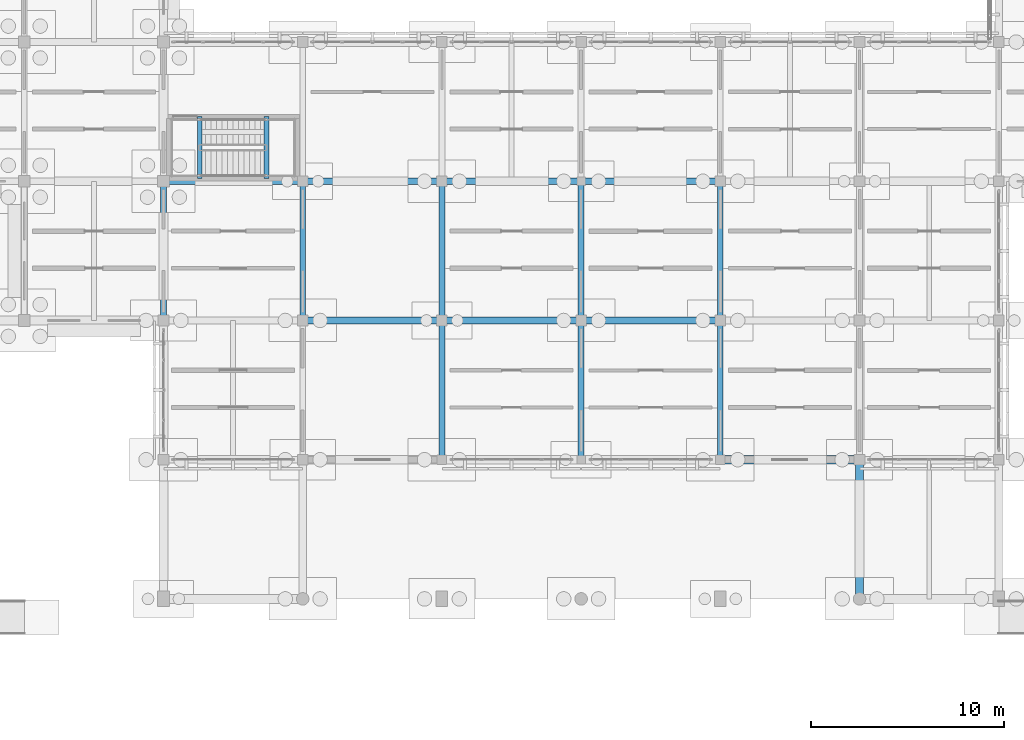
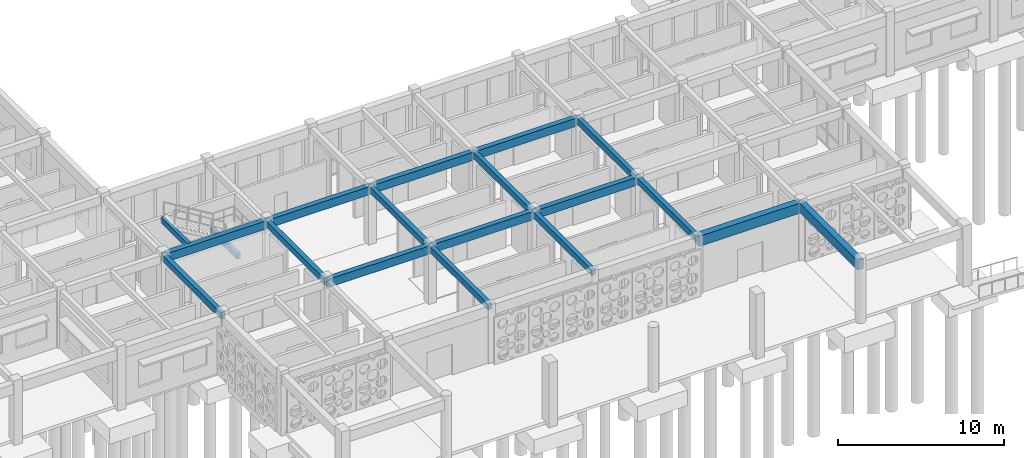
# One storey, part 21 of 111: 19 beams.
"""IFC4 building model written with IfcOpenShell, lengths in metres."""

import ifcopenshell
import ifcopenshell.guid

model = None  # the IFC model being written
_history = None  # IfcOwnerHistory: only IFC2X3 demands one
_inside = {}  # id of a spatial element -> (the spatial element, [elements in it])
_under = {}  # id of a project, library or spatial element -> (it, [spatial elements below it])
_declared = {}  # id of a project -> (the project, [libraries it declares])
_typed = {}  # id of a type object -> (the type object, [elements of that type])
_made_of = {}  # id of a material, layer set ... -> (it, [elements and type objects made of it])


def new_model(schema):
    """Start an empty IFC model of exactly this schema.

    Asked for "IFC4X3", IfcOpenShell would pick the latest addendum, in which some entities
    have other attributes; the version numbers below select the first issue.
    IFC2X3 requires an IfcOwnerHistory on every rooted entity: one is made here for all.
    """
    global model, _history
    if schema == "IFC4X3":
        model = ifcopenshell.file(schema_version=(4, 3, 0, 0))
    else:
        model = ifcopenshell.file(schema=schema)
    _inside.clear()
    _under.clear()
    _declared.clear()
    _typed.clear()
    _made_of.clear()
    _history = None
    if model.schema == "IFC2X3":
        org = make("IfcOrganization", Name="unknown")
        user = make(
            "IfcPersonAndOrganization",
            ThePerson=make("IfcPerson", FamilyName="unknown"),
            TheOrganization=org,
        )
        app = make(
            "IfcApplication",
            ApplicationDeveloper=org,
            Version="unknown",
            ApplicationFullName="unknown",
            ApplicationIdentifier="unknown",
        )
        _history = make(
            "IfcOwnerHistory",
            OwningUser=user,
            OwningApplication=app,
            ChangeAction="ADDED",
            CreationDate=0,
        )
    return model


def make(cls, **values):
    """One entity of the class cls with the attributes given. An attribute that is None is left unset."""
    return model.create_entity(
        cls, **{name: value for name, value in values.items() if value is not None}
    )


def rooted(cls, **values):
    """An entity with a GlobalId (a new one), such as an element, a storey or a relation."""
    return make(cls, GlobalId=ifcopenshell.guid.new(), OwnerHistory=_history, **values)


def si_unit(unit_type, name, prefix=None):
    """IfcSIUnit, for example si_unit("LENGTHUNIT", "METRE", prefix="MILLI")."""
    return make("IfcSIUnit", UnitType=unit_type, Prefix=prefix, Name=name)


def assignment(units):
    """IfcUnitAssignment: the units of a project."""
    return None if units is None else make("IfcUnitAssignment", Units=units)


def point(xyz):
    """IfcCartesianPoint."""
    return None if xyz is None else make("IfcCartesianPoint", Coordinates=xyz)


def direction(xyz):
    """IfcDirection."""
    return None if xyz is None else make("IfcDirection", DirectionRatios=xyz)


def frame(location, z_axis=None, x_axis=None):
    """IfcAxis2Placement3D, a coordinate frame: its origin and axes. An axis left out is left unset."""
    return make(
        "IfcAxis2Placement3D",
        Location=point(location),
        Axis=direction(z_axis),
        RefDirection=direction(x_axis),
    )


def frame_2d(location, x_axis=None):
    """IfcAxis2Placement2D, a coordinate frame in the plane: its origin and x axis."""
    return make(
        "IfcAxis2Placement2D", Location=point(location), RefDirection=direction(x_axis)
    )


def origin():
    """The frame at (0, 0, 0) with its axes left unset."""
    return frame((0.0, 0.0, 0.0))


def origin_2d():
    """The frame at (0, 0) in the plane with its x axis left unset."""
    return frame_2d((0.0, 0.0))


def place(relative_to, where):
    """IfcLocalPlacement: puts the frame where relative to a parent placement (None: the world)."""
    return make(
        "IfcLocalPlacement", PlacementRelTo=relative_to, RelativePlacement=where
    )


def context(
    kind, dimensions, precision=None, world=None, true_north=None, identifier=None
):
    """IfcGeometricRepresentationContext, for example the 3D "Model" context."""
    return make(
        "IfcGeometricRepresentationContext",
        ContextIdentifier=identifier,
        ContextType=kind,
        CoordinateSpaceDimension=dimensions,
        Precision=precision,
        WorldCoordinateSystem=world,
        TrueNorth=true_north,
    )


def subcontext(parent, identifier, kind, view, scale=None):
    """IfcGeometricRepresentationSubContext, for example "Body" below "Model"."""
    return make(
        "IfcGeometricRepresentationSubContext",
        ContextIdentifier=identifier,
        ContextType=kind,
        ParentContext=parent,
        TargetScale=scale,
        TargetView=view,
    )


def project(units=None, contexts=None):
    """IfcProject with its units and contexts."""
    return rooted(
        "IfcProject",
        Name="project",
        RepresentationContexts=contexts,
        UnitsInContext=assignment(units),
    )


def spatial(cls, under=None, at=None, **own):
    """A site, building, storey or space (cls), placed at a placement, below another one or the project."""
    s = rooted(cls, ObjectPlacement=at, **own)
    if under is not None:
        _under.setdefault(under.id(), (under, []))[1].append(s)
    return s


def profile(cls, at=None, kind="AREA", **sizes):
    """A parametric profile (cls). Its sizes go by their IFC names, for example OverallWidth=200.0."""
    return make(cls, ProfileType=kind, Position=at, **sizes)


def rectangle(**sizes):
    """IfcRectangleProfileDef."""
    return profile("IfcRectangleProfileDef", **sizes)


def extrude(swept, where, along, depth):
    """IfcExtrudedAreaSolid: the profile swept, set in the frame where, extruded along a direction by depth."""
    return make(
        "IfcExtrudedAreaSolid",
        SweptArea=swept,
        Position=where,
        ExtrudedDirection=direction(along),
        Depth=depth,
    )


def shape(context_of_items, identifier, shape_type, items):
    """IfcShapeRepresentation: the items that make up one representation, for example the "Body"."""
    return make(
        "IfcShapeRepresentation",
        ContextOfItems=context_of_items,
        RepresentationIdentifier=identifier,
        RepresentationType=shape_type,
        Items=items,
    )


def material(Name=None, Category=None):
    """IfcMaterial."""
    return make("IfcMaterial", Name=Name, Category=Category)


def material_profile(
    of_material, cross_section, Name=None, Category=None, Priority=None
):
    """IfcMaterialProfile: a cross section and its material."""
    return make(
        "IfcMaterialProfile",
        Name=Name,
        Material=of_material,
        Profile=cross_section,
        Priority=Priority,
        Category=Category,
    )


def profile_set(profiles, Name=None, composite=None):
    """IfcMaterialProfileSet."""
    return make(
        "IfcMaterialProfileSet",
        Name=Name,
        MaterialProfiles=profiles,
        CompositeProfile=composite,
    )


def made_of(thing, what):
    """Note that an element or type object is made of a material, layer set ...; save() writes the relation."""
    if what is not None:
        _made_of.setdefault(what.id(), (what, []))[1].append(thing)
    return thing


def type_object(cls, material=None, **own):
    """A type object (cls), such as IfcWallType, which elements share."""
    return made_of(rooted(cls, **own), material)


def element(
    cls,
    number,
    at=None,
    inside=None,
    cuts=None,
    type_object=None,
    material=None,
    context=None,
    identifier="Body",
    shape_type=None,
    held_by="IfcProductDefinitionShape",
    body=None,
    shapes=None,
    **own,
):
    """One element of the class cls, such as IfcWall. Its Tag is "e" and its number.

    at: its placement. inside: the storey or other place that contains it. cuts: it is an
    opening in that element (IfcRelVoidsElement). A single representation is given by context,
    identifier, shape_type and body (its items); several are given by shapes. held_by: the class
    of the entity that holds the representations. save() writes the other relations.
    """
    e = rooted(cls, Tag="e%d" % number, ObjectPlacement=at, **own)
    if body is not None:
        shapes = [shape(context, identifier, shape_type, body)]
    if shapes is not None:
        e.Representation = make(held_by, Representations=shapes)
    if inside is not None:
        _inside.setdefault(inside.id(), (inside, []))[1].append(e)
    if cuts is not None:
        rooted(
            "IfcRelVoidsElement", RelatingBuildingElement=cuts, RelatedOpeningElement=e
        )
    if type_object is not None:
        _typed.setdefault(type_object.id(), (type_object, []))[1].append(e)
    return made_of(e, material)


def aggregate(whole, parts):
    """IfcRelAggregates: a whole, such as a stair, and the parts it consists of."""
    return rooted("IfcRelAggregates", RelatingObject=whole, RelatedObjects=parts)


def save(model, path):
    """Write the relations noted so far, then the file.

    IfcRelAggregates (storeys below a building ...), IfcRelContainedInSpatialStructure (elements
    in a storey), IfcRelDefinesByType, IfcRelAssociatesMaterial and IfcRelDeclares: one each for
    every whole, place, type object, material and project.
    """
    for whole, parts in _under.values():
        aggregate(whole, parts)
    for where, things in _inside.values():
        rooted(
            "IfcRelContainedInSpatialStructure",
            RelatedElements=things,
            RelatingStructure=where,
        )
    for kind, things in _typed.values():
        rooted("IfcRelDefinesByType", RelatedObjects=things, RelatingType=kind)
    for what, things in _made_of.values():
        rooted("IfcRelAssociatesMaterial", RelatedObjects=things, RelatingMaterial=what)
    for by, libraries in _declared.values():
        rooted("IfcRelDeclares", RelatingContext=by, RelatedDefinitions=libraries)
    model.write(path)


model = new_model("IFC4")

# Units and contexts
model_context = context("Model", 3, precision=1e-05, world=origin(), true_north=direction((0.0, 1.0)))
body_context = subcontext(model_context, "Body", "Model", "MODEL_VIEW")
ifc_project = project(units=[si_unit("LENGTHUNIT", "METRE"), si_unit("AREAUNIT", "SQUARE_METRE"), si_unit("VOLUMEUNIT", "CUBIC_METRE"), si_unit("PLANEANGLEUNIT", "RADIAN"), si_unit("MASSUNIT", "GRAM", prefix="KILO")], contexts=[model_context])

# Site, building, storey
site_placement = place(None, origin())
site = spatial("IfcSite", under=ifc_project, at=site_placement, CompositionType="ELEMENT")
building_placement = place(site_placement, origin())
building = spatial("IfcBuilding", under=site, at=building_placement, Name="Aldebral Square Health Centre", CompositionType="ELEMENT")
storey_placement = place(building_placement, origin())
storey = spatial("IfcBuildingStorey", under=building, at=storey_placement, Name="L00", CompositionType="ELEMENT", Elevation=0.0)

# Beams
ifc_material = material(Name="Concrete C40/50", Category="concrete")
ifc_material_profile_1 = material_profile(ifc_material, rectangle(XDim=0.35009765625, YDim=0.60009765625, at=origin_2d()), Name="RC 350x600")
ifc_profile_set_1 = profile_set([ifc_material_profile_1], Name="Concrete C40/50")
beam_type_1 = type_object("IfcBeamType", Name="BM-B2", PredefinedType="BEAM", material=ifc_profile_set_1)
for number, where, z_axis, x_axis, name in (
    (1, (64.800048828125, 93.60009765625, 3.919921875), (1.0, 0.0, 0.0), (0.0, 1.0, 0.0), "L00 X-beam 10-11/G14"),
    (2, (72.0, 86.39990234375, 3.919921875), (1.0, 0.0, 0.0), (0.0, 1.0, 0.0), "L00 X-beam 11-12/G13"),
    (3, (72.0, 93.60009765625, 3.919921875), (1.0, 0.0, 0.0), (0.0, 1.0, 0.0), "L00 X-beam 11-12/G14"),
    (4, (79.199951171875, 86.39990234375, 3.919921875), (1.0, 0.0, 0.0), (0.0, 1.0, 0.0), "L00 X-beam 12-13/G13"),
    (5, (79.199951171875, 93.60009765625, 3.919921875), (1.0, 0.0, 0.0), (0.0, 1.0, 0.0), "L00 X-beam 12-13/G14"),
):
    element("IfcBeam", number, at=place(storey_placement, frame(where, z_axis=z_axis, x_axis=x_axis)), inside=storey, type_object=beam_type_1, Name=name, PredefinedType="BEAM", context=body_context, shape_type="SweptSolid", body=[
        extrude(rectangle(XDim=0.35009765625, YDim=0.60009765625, at=origin_2d()), origin(), (0.0, 0.0, 1.0), 7.199951171875),
    ])
for number, where, z_axis, x_axis, name in (
    (6, (86.39990234375, 86.39990234375, 3.919921875), (1.0, 0.0, 0.0), (0.0, 1.0, 0.0), "L00 X-beam 13-14/G13"),
    (7, (86.39990234375, 93.60009765625, 3.919921875), (1.0, 0.0, 0.0), (0.0, 1.0, 0.0), "L00 X-beam 13-14/G14"),
):
    element("IfcBeam", number, at=place(storey_placement, frame(where, z_axis=z_axis, x_axis=x_axis)), inside=storey, type_object=beam_type_1, Name=name, PredefinedType="BEAM", context=body_context, shape_type="SweptSolid", body=[
        extrude(rectangle(XDim=0.35009765625, YDim=0.60009765625, at=origin_2d()), origin(), (0.0, 0.0, 1.0), 7.2001953125),
    ])
ifc_material_profile_2 = material_profile(ifc_material, rectangle(XDim=0.300048828125, YDim=0.449951171875, at=origin_2d()), Name="RC 300x450")
ifc_profile_set_2 = profile_set([ifc_material_profile_2], Name="Concrete C40/50")
beam_type_2 = type_object("IfcBeamType", Name="BM-B5", PredefinedType="BEAM", material=ifc_profile_set_2)
for number, where, z_axis, x_axis, name in (
    (8, (64.800048828125, 86.39990234375, 3.9951171875), (0.0, 1.0, 0.0), (-1.0, 0.0, 0.0), "L00 Y-beam G10/13-14"),
    (9, (72.0, 86.39990234375, 3.9951171875), (0.0, 1.0, 0.0), (-1.0, 0.0, 0.0), "L00 Y-beam G11/13-14"),
):
    element("IfcBeam", number, at=place(storey_placement, frame(where, z_axis=z_axis, x_axis=x_axis)), inside=storey, type_object=beam_type_2, Name=name, PredefinedType="BEAM", context=body_context, shape_type="SweptSolid", body=[
        extrude(rectangle(XDim=0.300048828125, YDim=0.449951171875, at=origin_2d()), origin(), (0.0, 0.0, 1.0), 7.2001953125),
    ])
beam_1_placement = place(storey_placement, frame((79.199951171875, 79.199951171875, 3.9951171875), z_axis=(0.0, 1.0, 0.0), x_axis=(-1.0, 0.0, 0.0)))
element("IfcBeam", 10, at=beam_1_placement, inside=storey, type_object=beam_type_2, Name="L00 Y-beam G12/12-13", PredefinedType="BEAM", context=body_context, shape_type="SweptSolid", body=[
    extrude(rectangle(XDim=0.300048828125, YDim=0.449951171875, at=origin_2d()), origin(), (0.0, 0.0, 1.0), 7.199951171875),
])
beam_2_placement = place(storey_placement, frame((79.199951171875, 86.39990234375, 3.9951171875), z_axis=(0.0, 1.0, 0.0), x_axis=(-1.0, 0.0, 0.0)))
element("IfcBeam", 11, at=beam_2_placement, inside=storey, type_object=beam_type_2, Name="L00 Y-beam G12/13-14", PredefinedType="BEAM", context=body_context, shape_type="SweptSolid", body=[
    extrude(rectangle(XDim=0.300048828125, YDim=0.449951171875, at=origin_2d()), origin(), (0.0, 0.0, 1.0), 7.2001953125),
])
beam_3_placement = place(storey_placement, frame((86.39990234375, 79.199951171875, 3.9951171875), z_axis=(0.0, 1.0, 0.0), x_axis=(-1.0, 0.0, 0.0)))
element("IfcBeam", 12, at=beam_3_placement, inside=storey, type_object=beam_type_2, Name="L00 Y-beam G13/12-13", PredefinedType="BEAM", context=body_context, shape_type="SweptSolid", body=[
    extrude(rectangle(XDim=0.300048828125, YDim=0.449951171875, at=origin_2d()), origin(), (0.0, 0.0, 1.0), 7.199951171875),
])
beam_4_placement = place(storey_placement, frame((86.39990234375, 86.39990234375, 3.9951171875), z_axis=(0.0, 1.0, 0.0), x_axis=(-1.0, 0.0, 0.0)))
element("IfcBeam", 13, at=beam_4_placement, inside=storey, type_object=beam_type_2, Name="L00 Y-beam G13/13-14", PredefinedType="BEAM", context=body_context, shape_type="SweptSolid", body=[
    extrude(rectangle(XDim=0.300048828125, YDim=0.449951171875, at=origin_2d()), origin(), (0.0, 0.0, 1.0), 7.2001953125),
])
beam_5_placement = place(storey_placement, frame((93.60009765625, 79.199951171875, 3.9951171875), z_axis=(0.0, 1.0, 0.0), x_axis=(-1.0, 0.0, 0.0)))
element("IfcBeam", 14, at=beam_5_placement, inside=storey, type_object=beam_type_2, Name="L00 Y-beam G14/12-13", PredefinedType="BEAM", context=body_context, shape_type="SweptSolid", body=[
    extrude(rectangle(XDim=0.300048828125, YDim=0.449951171875, at=origin_2d()), origin(), (0.0, 0.0, 1.0), 7.199951171875),
])
beam_6_placement = place(storey_placement, frame((93.60009765625, 86.39990234375, 3.9951171875), z_axis=(0.0, 1.0, 0.0), x_axis=(-1.0, 0.0, 0.0)))
element("IfcBeam", 15, at=beam_6_placement, inside=storey, type_object=beam_type_2, Name="L00 Y-beam G14/13-14", PredefinedType="BEAM", context=body_context, shape_type="SweptSolid", body=[
    extrude(rectangle(XDim=0.300048828125, YDim=0.449951171875, at=origin_2d()), origin(), (0.0, 0.0, 1.0), 7.2001953125),
])
ifc_material_profile_3 = material_profile(ifc_material, rectangle(XDim=0.25, YDim=0.39990234375, at=origin_2d()), Name="RC 250x400")
ifc_profile_set_3 = profile_set([ifc_material_profile_3], Name="Concrete C40/50")
beam_type_3 = type_object("IfcBeamType", Name="BM-B6", PredefinedType="JOIST", material=ifc_profile_set_3)
for number, where, z_axis, x_axis, name in (
    (16, (70.1201171875, 93.72998046875, 2.050048828125), (0.0, 1.0, 0.0), (-1.0, 0.0, 0.0), "L00 WS-S7 half-landing beam"),
    (17, (66.679931640625, 93.72998046875, 4.02001953125), (0.0, 1.0, 0.0), (-1.0, 0.0, 0.0), "L00 WS-S7 upper landing beam"),
):
    element("IfcBeam", number, at=place(storey_placement, frame(where, z_axis=z_axis, x_axis=x_axis)), inside=storey, type_object=beam_type_3, Name=name, PredefinedType="JOIST", context=body_context, shape_type="SweptSolid", body=[
        extrude(rectangle(XDim=0.25, YDim=0.39990234375, at=origin_2d()), origin(), (0.0, 0.0, 1.0), 3.219970703125),
    ])
ifc_material_profile_4 = material_profile(ifc_material, rectangle(XDim=0.449951171875, YDim=0.75, at=origin_2d()), Name="RC 450x750")
ifc_profile_set_4 = profile_set([ifc_material_profile_4], Name="Concrete C40/50")
beam_type_4 = type_object("IfcBeamType", Name="BM-G2", PredefinedType="T_BEAM", material=ifc_profile_set_4)
beam_7_placement = place(storey_placement, frame((93.60009765625, 79.199951171875, 3.844970703125), z_axis=(1.0, 0.0, 0.0), x_axis=(0.0, 1.0, 0.0)))
element("IfcBeam", 18, at=beam_7_placement, inside=storey, type_object=beam_type_4, Name="L00 X-beam 14-15/G12", PredefinedType="T_BEAM", context=body_context, shape_type="SweptSolid", body=[
    extrude(rectangle(XDim=0.449951171875, YDim=0.75, at=origin_2d()), origin(), (0.0, 0.0, 1.0), 7.199951171875),
])
ifc_material_profile_5 = material_profile(ifc_material, rectangle(XDim=0.39990234375, YDim=0.699951171875, at=origin_2d()), Name="RC 400x700")
ifc_profile_set_5 = profile_set([ifc_material_profile_5], Name="Concrete C40/50")
beam_type_5 = type_object("IfcBeamType", Name="BM-G3", PredefinedType="T_BEAM", material=ifc_profile_set_5)
beam_8_placement = place(storey_placement, frame((100.800048828125, 72.0, 3.8701171875), z_axis=(0.0, 1.0, 0.0), x_axis=(-1.0, 0.0, 0.0)))
element("IfcBeam", 19, at=beam_8_placement, inside=storey, type_object=beam_type_5, Name="L00 Y-beam G15/11-12", PredefinedType="T_BEAM", context=body_context, shape_type="SweptSolid", body=[
    extrude(rectangle(XDim=0.39990234375, YDim=0.699951171875, at=origin_2d()), origin(), (0.0, 0.0, 1.0), 7.199951171875),
])

save(model, "model.ifc")
